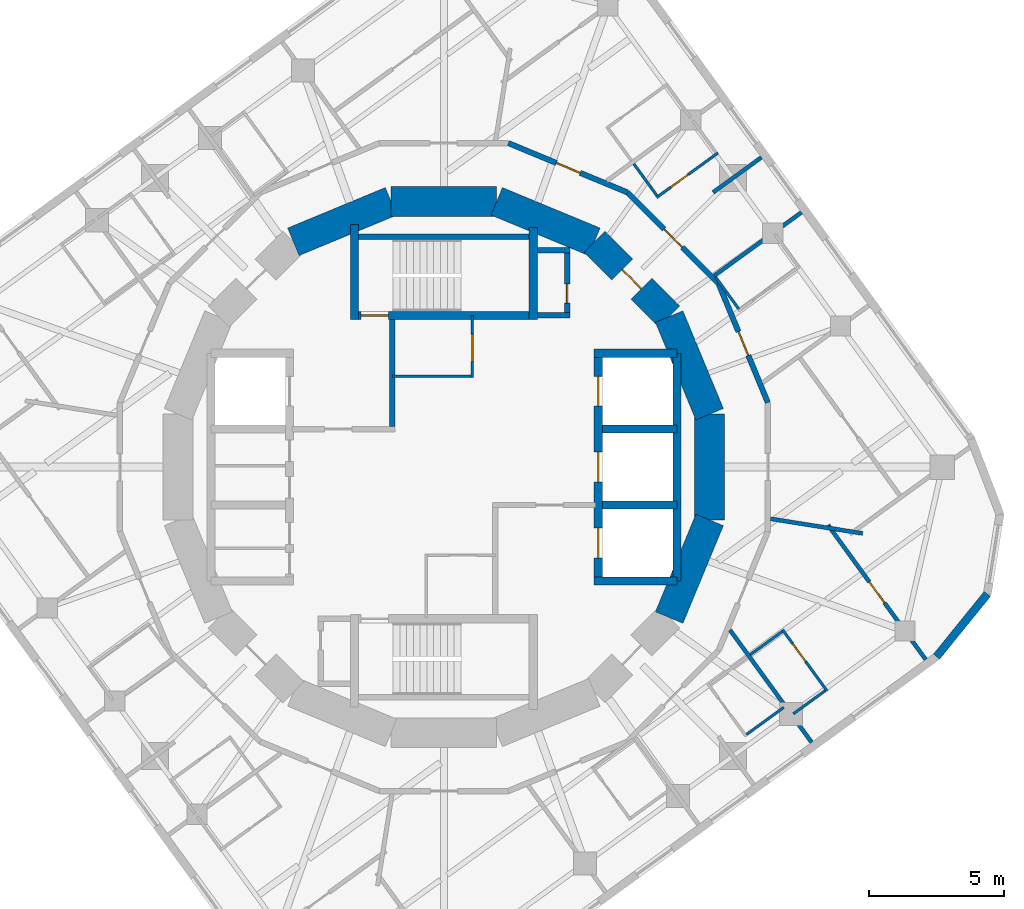
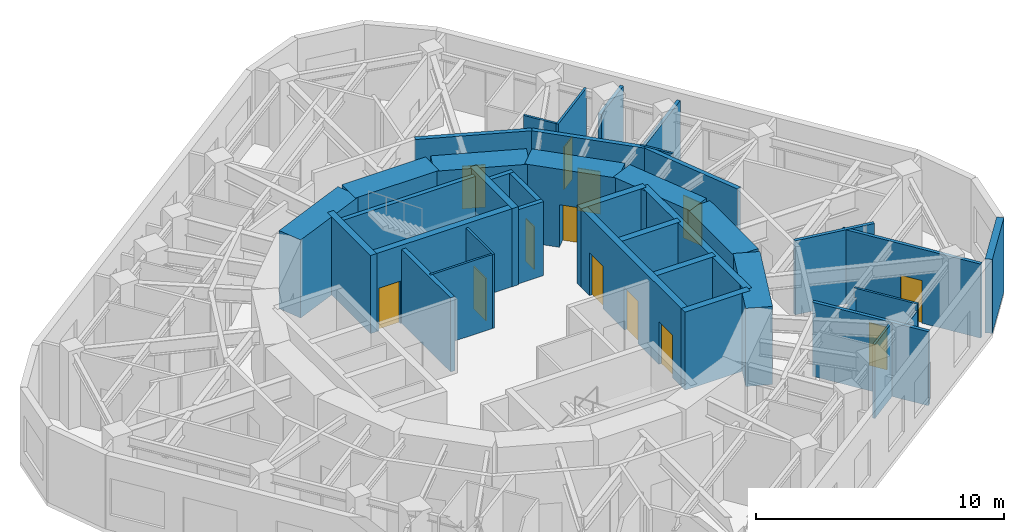
# One storey, part 6 of 9: 39 walls, 13 doors, 13 openings.
"""IFC4 building model written with IfcOpenShell, lengths in metres."""

from ifc_helpers import new_model, si_unit, direction, frame, frame_2d, origin, place, context, subcontext, project, spatial, rectangle, extrude, material, layer, layer_set, type_object, element, fill, save


model = new_model("IFC4")

# Units and contexts
model_context = context("Model", 3, precision=1e-05, world=origin(), true_north=direction((0.0, 1.0)))
body_context = subcontext(model_context, "Body", "Model", "MODEL_VIEW")
ifc_project = project(units=[si_unit("LENGTHUNIT", "METRE"), si_unit("AREAUNIT", "SQUARE_METRE"), si_unit("VOLUMEUNIT", "CUBIC_METRE"), si_unit("PLANEANGLEUNIT", "RADIAN"), si_unit("MASSUNIT", "GRAM", prefix="KILO")], contexts=[model_context])

# Site, building, storey
site_placement = place(None, origin())
site = spatial("IfcSite", under=ifc_project, at=site_placement, CompositionType="ELEMENT")
building_placement = place(site_placement, origin())
building = spatial("IfcBuilding", under=site, at=building_placement, Name="Nakasero Lantern House", CompositionType="ELEMENT")
storey_placement = place(building_placement, frame((0.0, 0.0, 286.85009765625)))
storey = spatial("IfcBuildingStorey", under=building, at=storey_placement, Name="L70", CompositionType="ELEMENT", Elevation=286.85009765625)

# Wall, openings, doors
ifc_material_1 = material(Name="Concrete C50/60", Category="concrete")
ifc_layer_1 = layer(ifc_material_1, 0.300048828125)
ifc_layer_set_1 = layer_set([ifc_layer_1], Name="Core inner wall 300")
wall_type_1 = type_object("IfcWallType", Name="Core inner wall 300", PredefinedType="SHEAR", material=ifc_layer_set_1)
wall_1_placement = place(storey_placement, frame((5.699951171875, -4.199951171875, 0.0), z_axis=(0.0, 0.0, 1.0), x_axis=(0.0, 1.0, 0.0)))
wall_1 = element("IfcWall", 1, at=wall_1_placement, inside=storey, type_object=wall_type_1, Name="Core inner wall L70 LE", PredefinedType="SHEAR", context=body_context, shape_type="SweptSolid", body=[
    extrude(rectangle(XDim=8.39990234375, YDim=0.300048828125, at=frame_2d((4.199951171875, 0.0))), origin(), (0.0, 0.0, 1.0), 3.849853515625),
])
opening_1_placement = place(wall_1_placement, frame((0.85009765625, 0.0, 0.0)))
opening_1 = element("IfcOpeningElement", 2, at=opening_1_placement, cuts=wall_1, Name="Opening LD", PredefinedType="OPENING", context=body_context, shape_type="SweptSolid", body=[
    extrude(rectangle(XDim=1.10009765625, YDim=2.10009765625, at=frame_2d((0.550048828125, 1.050048828125))), frame((0.0, 0.169921875, 0.0), z_axis=(0.0, -1.0, 0.0), x_axis=(1.0, 0.0, 0.0)), (0.0, 0.0, 1.0), 0.340087890625),
])
opening_2_placement = place(wall_1_placement, frame((3.64990234375, 0.0, 0.0)))
opening_2 = element("IfcOpeningElement", 3, at=opening_2_placement, cuts=wall_1, Name="Opening LD", PredefinedType="OPENING", context=body_context, shape_type="SweptSolid", body=[
    extrude(rectangle(XDim=1.10009765625, YDim=2.10009765625, at=frame_2d((0.550048828125, 1.050048828125))), frame((0.0, 0.169921875, 0.0), z_axis=(0.0, -1.0, 0.0), x_axis=(1.0, 0.0, 0.0)), (0.0, 0.0, 1.0), 0.340087890625),
])
opening_3_placement = place(wall_1_placement, frame((6.449951171875, 0.0, 0.0)))
opening_3 = element("IfcOpeningElement", 4, at=opening_3_placement, cuts=wall_1, Name="Opening LD", PredefinedType="OPENING", context=body_context, shape_type="SweptSolid", body=[
    extrude(rectangle(XDim=1.10009765625, YDim=2.10009765625, at=frame_2d((0.550048828125, 1.050048828125))), frame((0.0, 0.169921875, 0.0), z_axis=(0.0, -1.0, 0.0), x_axis=(1.0, 0.0, 0.0)), (0.0, 0.0, 1.0), 0.340087890625),
])
ifc_material_2 = material(Name="Steel S355", Category="steel")
door_type_1 = type_object("IfcDoorType", Name="Lift landing door E120 1100", OperationType="SLIDING_TO_LEFT", PredefinedType="DOOR", material=ifc_material_2)
door_1_placement = place(opening_1_placement, origin())
door_1 = element("IfcDoor", 5, at=door_1_placement, inside=storey, type_object=door_type_1, Name="Lift landing door LE1", OperationType="SLIDING_TO_LEFT", OverallHeight=2.10009765625, OverallWidth=1.10009765625, PredefinedType="DOOR", context=body_context, shape_type="SweptSolid", body=[
    extrude(rectangle(XDim=1.10009765625, YDim=2.10009765625, at=frame_2d((0.550048828125, 1.050048828125))), frame((0.0, 0.02490234375, 0.0), z_axis=(0.0, -1.0, 0.0), x_axis=(1.0, 0.0, 0.0)), (0.0, 0.0, 1.0), 0.050048828125),
])
fill(opening_1, door_1)
door_2_placement = place(opening_2_placement, origin())
door_2 = element("IfcDoor", 6, at=door_2_placement, inside=storey, type_object=door_type_1, Name="Lift landing door LE2", OperationType="SLIDING_TO_LEFT", OverallHeight=2.10009765625, OverallWidth=1.10009765625, PredefinedType="DOOR", context=body_context, shape_type="SweptSolid", body=[
    extrude(rectangle(XDim=1.10009765625, YDim=2.10009765625, at=frame_2d((0.550048828125, 1.050048828125))), frame((0.0, 0.02490234375, 0.0), z_axis=(0.0, -1.0, 0.0), x_axis=(1.0, 0.0, 0.0)), (0.0, 0.0, 1.0), 0.050048828125),
])
fill(opening_2, door_2)
door_3_placement = place(opening_3_placement, origin())
door_3 = element("IfcDoor", 7, at=door_3_placement, inside=storey, type_object=door_type_1, Name="Lift landing door LE3", OperationType="SLIDING_TO_LEFT", OverallHeight=2.10009765625, OverallWidth=1.10009765625, PredefinedType="DOOR", context=body_context, shape_type="SweptSolid", body=[
    extrude(rectangle(XDim=1.10009765625, YDim=2.10009765625, at=frame_2d((0.550048828125, 1.050048828125))), frame((0.0, 0.02490234375, 0.0), z_axis=(0.0, -1.0, 0.0), x_axis=(1.0, 0.0, 0.0)), (0.0, 0.0, 1.0), 0.050048828125),
])
fill(opening_3, door_3)

# Walls
for number, where, z_axis, x_axis, name in (
    (8, (5.550048828125, 4.199951171875, 0.0), (0.0, 0.0, 1.0), (1.0, 0.0, 0.0), "Core inner wall L70 LEN"),
    (9, (5.550048828125, -4.199951171875, 0.0), (0.0, 0.0, 1.0), (1.0, 0.0, 0.0), "Core inner wall L70 LES"),
):
    element("IfcWall", number, at=place(storey_placement, frame(where, z_axis=z_axis, x_axis=x_axis)), inside=storey, type_object=wall_type_1, Name=name, PredefinedType="SHEAR", context=body_context, shape_type="SweptSolid", body=[
        extrude(rectangle(XDim=3.050048828125, YDim=0.300048828125, at=frame_2d((1.52490234375, 0.0))), origin(), (0.0, 0.0, 1.0), 3.849853515625),
    ])
wall_2_placement = place(storey_placement, frame((8.60009765625, -4.199951171875, 0.0), z_axis=(0.0, 0.0, 1.0), x_axis=(0.0, 1.0, 0.0)))
element("IfcWall", 10, at=wall_2_placement, inside=storey, type_object=wall_type_1, Name="Core inner wall L70 LEB", PredefinedType="SHEAR", context=body_context, shape_type="SweptSolid", body=[
    extrude(rectangle(XDim=8.39990234375, YDim=0.300048828125, at=frame_2d((4.199951171875, 0.0))), origin(), (0.0, 0.0, 1.0), 3.849853515625),
])
for number, where, z_axis, x_axis, name in (
    (11, (5.85009765625, -1.39990234375, 0.0), (0.0, 0.0, 1.0), (1.0, 0.0, 0.0), "Core inner wall L70 LE1"),
    (12, (5.85009765625, 1.39990234375, 0.0), (0.0, 0.0, 1.0), (1.0, 0.0, 0.0), "Core inner wall L70 LE2"),
):
    element("IfcWall", number, at=place(storey_placement, frame(where, z_axis=z_axis, x_axis=x_axis)), inside=storey, type_object=wall_type_1, Name=name, PredefinedType="SHEAR", context=body_context, shape_type="SweptSolid", body=[
        extrude(rectangle(XDim=2.75, YDim=0.300048828125, at=frame_2d((1.375, 0.0))), origin(), (0.0, 0.0, 1.0), 3.849853515625),
    ])

# Wall, opening, door
wall_3_placement = place(storey_placement, frame((-3.449951171875, 5.60009765625, 0.0), z_axis=(0.0, 0.0, 1.0), x_axis=(1.0, 0.0, 0.0)))
wall_3 = element("IfcWall", 13, at=wall_3_placement, inside=storey, type_object=wall_type_1, Name="Core inner wall L70 SN", PredefinedType="SHEAR", context=body_context, shape_type="SweptSolid", body=[
    extrude(rectangle(XDim=6.89990234375, YDim=0.300048828125, at=frame_2d((3.449951171875, 0.0))), origin(), (0.0, 0.0, 1.0), 3.849853515625),
])
opening_4_placement = place(wall_3_placement, frame((0.39990234375, 0.0, 0.0)))
opening_4 = element("IfcOpeningElement", 14, at=opening_4_placement, cuts=wall_3, Name="Opening D05", PredefinedType="OPENING", context=body_context, shape_type="SweptSolid", body=[
    extrude(rectangle(XDim=1.0, YDim=2.10009765625, at=frame_2d((0.5, 1.050048828125))), frame((0.0, 0.169921875, 0.0), z_axis=(0.0, -1.0, 0.0), x_axis=(1.0, 0.0, 0.0)), (0.0, 0.0, 1.0), 0.340087890625),
])
ifc_material_3 = material(Name="Timber C24", Category="wood")
door_type_2 = type_object("IfcDoorType", Name="Core door FD60S 1000", OperationType="SINGLE_SWING_LEFT", PredefinedType="DOOR", material=ifc_material_3)
door_4_placement = place(opening_4_placement, origin())
door_4 = element("IfcDoor", 15, at=door_4_placement, inside=storey, type_object=door_type_2, Name="Door L70 D-ST1", OperationType="SINGLE_SWING_LEFT", OverallHeight=2.10009765625, OverallWidth=1.0, PredefinedType="DOOR", context=body_context, shape_type="SweptSolid", body=[
    extrude(rectangle(XDim=1.0, YDim=2.10009765625, at=frame_2d((0.5, 1.050048828125))), frame((0.0, 0.02490234375, 0.0), z_axis=(0.0, -1.0, 0.0), x_axis=(1.0, 0.0, 0.0)), (0.0, 0.0, 1.0), 0.050048828125),
])
fill(opening_4, door_4)

# Walls
wall_4_placement = place(storey_placement, frame((-3.300048828125, 5.449951171875, 0.0), z_axis=(0.0, 0.0, 1.0), x_axis=(0.0, 1.0, 0.0)))
element("IfcWall", 16, at=wall_4_placement, inside=storey, type_object=wall_type_1, Name="Core inner wall L70 SNW", PredefinedType="SHEAR", context=body_context, shape_type="SweptSolid", body=[
    extrude(rectangle(XDim=3.5, YDim=0.300048828125, at=frame_2d((1.75, 0.0))), origin(), (0.0, 0.0, 1.0), 3.849853515625),
])
wall_5_placement = place(storey_placement, frame((3.300048828125, 5.449951171875, 0.0), z_axis=(0.0, 0.0, 1.0), x_axis=(0.0, 1.0, 0.0)))
element("IfcWall", 17, at=wall_5_placement, inside=storey, type_object=wall_type_1, Name="Core inner wall L70 SNE", PredefinedType="SHEAR", context=body_context, shape_type="SweptSolid", body=[
    extrude(rectangle(XDim=3.400146484375, YDim=0.300048828125, at=frame_2d((1.7001953125, 0.0))), origin(), (0.0, 0.0, 1.0), 3.849853515625),
])
ifc_material_4 = material(Name="Blockwork", Category="masonry")
ifc_layer_2 = layer(ifc_material_4, 0.10009765625)
ifc_layer_set_2 = layer_set([ifc_layer_2], Name="Core room wall 100")
wall_type_2 = type_object("IfcWallType", Name="Core room wall 100", PredefinedType="PARTITIONING", material=ifc_layer_set_2)
wall_6_placement = place(storey_placement, frame((-1.89990234375, 3.35009765625, 0.0), z_axis=(0.0, 0.0, 1.0), x_axis=(1.0, 0.0, 0.0)))
element("IfcWall", 18, at=wall_6_placement, inside=storey, type_object=wall_type_2, Name="Core room wall L70 CR-NES", PredefinedType="PARTITIONING", context=body_context, shape_type="SweptSolid", body=[
    extrude(rectangle(XDim=3.0, YDim=0.10009765625, at=frame_2d((1.5, 0.0))), origin(), (0.0, 0.0, 1.0), 3.64990234375),
])

# Wall, opening, door
wall_7_placement = place(storey_placement, frame((1.050048828125, 3.300048828125, 0.0), z_axis=(0.0, 0.0, 1.0), x_axis=(0.0, 1.0, 0.0)))
wall_7 = element("IfcWall", 19, at=wall_7_placement, inside=storey, type_object=wall_type_2, Name="Core room wall L70 CR-NEE", PredefinedType="PARTITIONING", context=body_context, shape_type="SweptSolid", body=[
    extrude(rectangle(XDim=2.300048828125, YDim=0.10009765625, at=frame_2d((1.14990234375, 0.0))), origin(), (0.0, 0.0, 1.0), 3.64990234375),
])
opening_5_placement = place(wall_7_placement, frame((0.60009765625, 0.0, 0.0)))
opening_5 = element("IfcOpeningElement", 20, at=opening_5_placement, cuts=wall_7, Name="Opening D13", PredefinedType="OPENING", context=body_context, shape_type="SweptSolid", body=[
    extrude(rectangle(XDim=1.0, YDim=2.10009765625, at=frame_2d((0.5, 1.050048828125))), frame((0.0, 0.070068359375, 0.0), z_axis=(0.0, -1.0, 0.0), x_axis=(1.0, 0.0, 0.0)), (0.0, 0.0, 1.0), 0.14013671875),
])
ifc_material_5 = material(Name="Steel S355", Category="steel")
door_type_3 = type_object("IfcDoorType", Name="Plant room door FD60 1000", OperationType="SINGLE_SWING_LEFT", PredefinedType="DOOR", material=ifc_material_5)
door_5_placement = place(opening_5_placement, origin())
door_5 = element("IfcDoor", 21, at=door_5_placement, inside=storey, type_object=door_type_3, Name="Door L70 D-CR-NE", OperationType="SINGLE_SWING_LEFT", OverallHeight=2.10009765625, OverallWidth=1.0, PredefinedType="DOOR", context=body_context, shape_type="SweptSolid", body=[
    extrude(rectangle(XDim=1.0, YDim=2.10009765625, at=frame_2d((0.5, 1.050048828125))), frame((0.0, 0.02490234375, 0.0), z_axis=(0.0, -1.0, 0.0), x_axis=(1.0, 0.0, 0.0)), (0.0, 0.0, 1.0), 0.050048828125),
])
fill(opening_5, door_5)

# Wall
ifc_material_6 = material(Name="Concrete C50/60", Category="concrete")
ifc_layer_3 = layer(ifc_material_6, 1.10009765625)
ifc_layer_set_3 = layer_set([ifc_layer_3], Name="Core wall 1100")
wall_type_3 = type_object("IfcWallType", Name="Core wall 1100", PredefinedType="SHEAR", material=ifc_layer_set_3)
wall_8_placement = place(storey_placement, frame((9.807861328125, 1.950927734375, 0.0), z_axis=(0.0, 0.0, 1.0), x_axis=(-0.382690736062, 0.923876507187, 0.0)))
element("IfcWall", 22, at=wall_8_placement, inside=storey, type_object=wall_type_3, Name="Core wall L70 facet 1", PredefinedType="SHEAR", context=body_context, shape_type="SweptSolid", body=[
    extrude(rectangle(XDim=3.90185546875, YDim=1.10009765625, at=frame_2d((1.950927734375, 0.0))), origin(), (0.0, 0.0, 1.0), 3.849853515625),
])

# Wall, opening, door
wall_9_placement = place(storey_placement, frame((8.314697265625, 5.5556640625, 0.0), z_axis=(0.0, 0.0, 1.0), x_axis=(-0.707106781187, 0.707106781187, 0.0)))
wall_9 = element("IfcWall", 23, at=wall_9_placement, inside=storey, type_object=wall_type_3, Name="Core wall L70 facet 2", PredefinedType="SHEAR", context=body_context, shape_type="SweptSolid", body=[
    extrude(rectangle(XDim=3.90185546875, YDim=1.10009765625, at=frame_2d((1.950927734375, 0.0))), origin(), (0.0, 0.0, 1.0), 3.849853515625),
])
opening_6_placement = place(wall_9_placement, frame((1.450927734375, 0.0, 0.0)))
opening_6 = element("IfcOpeningElement", 24, at=opening_6_placement, cuts=wall_9, Name="Opening D05", PredefinedType="OPENING", context=body_context, shape_type="SweptSolid", body=[
    extrude(rectangle(XDim=1.0, YDim=2.10009765625, at=frame_2d((0.5, 1.050048828125))), frame((0.0, 0.570068359375, 0.0), z_axis=(0.0, -1.0, 0.0), x_axis=(1.0, 0.0, 0.0)), (0.0, 0.0, 1.0), 1.14013671875),
])
door_6_placement = place(opening_6_placement, origin())
door_6 = element("IfcDoor", 25, at=door_6_placement, inside=storey, type_object=door_type_2, Name="Door L70 D-CORE02", OperationType="SINGLE_SWING_LEFT", OverallHeight=2.10009765625, OverallWidth=1.0, PredefinedType="DOOR", context=body_context, shape_type="SweptSolid", body=[
    extrude(rectangle(XDim=1.0, YDim=2.10009765625, at=frame_2d((0.5, 1.050048828125))), frame((0.0, 0.02490234375, 0.0), z_axis=(0.0, -1.0, 0.0), x_axis=(1.0, 0.0, 0.0)), (0.0, 0.0, 1.0), 0.050048828125),
])
fill(opening_6, door_6)

# Walls
for number, where, z_axis, x_axis, name in (
    (26, (5.5556640625, 8.314697265625, 0.0), (0.0, 0.0, 1.0), (-0.923876507187, 0.382690736062, 0.0), "Core wall L70 facet 3"),
    (27, (1.950927734375, 9.807861328125, 0.0), (0.0, 0.0, 1.0), (-1.0, 0.0, 0.0), "Core wall L70 facet 4"),
    (28, (-1.950927734375, 9.807861328125, 0.0), (0.0, 0.0, 1.0), (-0.923876507187, -0.382690736062, 0.0), "Core wall L70 facet 5"),
    (29, (8.314697265625, -5.5556640625, 0.0), (0.0, 0.0, 1.0), (0.382690736062, 0.923876507187, 0.0), "Core wall L70 facet 15"),
    (30, (9.807861328125, -1.950927734375, 0.0), (0.0, 0.0, 1.0), (0.0, 1.0, 0.0), "Core wall L70 facet 16"),
):
    element("IfcWall", number, at=place(storey_placement, frame(where, z_axis=z_axis, x_axis=x_axis)), inside=storey, type_object=wall_type_3, Name=name, PredefinedType="SHEAR", context=body_context, shape_type="SweptSolid", body=[
        extrude(rectangle(XDim=3.90185546875, YDim=1.10009765625, at=frame_2d((1.950927734375, 0.0))), origin(), (0.0, 0.0, 1.0), 3.849853515625),
    ])

# Wall, opening, door
ifc_material_7 = material(Name="Blockwork", Category="masonry")
ifc_layer_4 = layer(ifc_material_7, 0.199951171875)
ifc_layer_set_4 = layer_set([ifc_layer_4], Name="Corridor wall 200")
wall_type_4 = type_object("IfcWallType", Name="Corridor wall 200", PredefinedType="PARTITIONING", material=ifc_layer_set_4)
wall_10_placement = place(storey_placement, frame((2.378662109375, 11.957763671875, 0.0), z_axis=(0.0, 0.0, 1.0), x_axis=(0.923891735412, -0.382653970627, 0.0)))
wall_10 = element("IfcWall", 31, at=wall_10_placement, inside=storey, type_object=wall_type_4, Name="Corridor wall L70 RC13a", PredefinedType="PARTITIONING", context=body_context, shape_type="SweptSolid", body=[
    extrude(rectangle(XDim=4.757080078125, YDim=0.199951171875, at=frame_2d((2.37841796875, 0.0))), origin(), (0.0, 0.0, 1.0), 3.64990234375),
])
opening_7_placement = place(wall_10_placement, frame((1.919921875, 0.0, 0.0)))
opening_7 = element("IfcOpeningElement", 32, at=opening_7_placement, cuts=wall_10, Name="Opening D01", PredefinedType="OPENING", context=body_context, shape_type="SweptSolid", body=[
    extrude(rectangle(XDim=0.949951171875, YDim=2.10009765625, at=frame_2d((0.47509765625, 1.050048828125))), frame((0.0, 0.119873046875, 0.0), z_axis=(0.0, -1.0, 0.0), x_axis=(1.0, 0.0, 0.0)), (0.0, 0.0, 1.0), 0.239990234375),
])
ifc_material_8 = material(Name="Timber C24", Category="wood")
door_type_4 = type_object("IfcDoorType", Name="Bedroom door FD30S 950", OperationType="SINGLE_SWING_LEFT", PredefinedType="DOOR", material=ifc_material_8)
door_7_placement = place(opening_7_placement, origin())
door_7 = element("IfcDoor", 33, at=door_7_placement, inside=storey, type_object=door_type_4, Name="Door L70 D0-06", OperationType="SINGLE_SWING_RIGHT", OverallHeight=2.10009765625, OverallWidth=0.949951171875, PredefinedType="DOOR", context=body_context, shape_type="SweptSolid", body=[
    extrude(rectangle(XDim=0.949951171875, YDim=2.10009765625, at=frame_2d((0.47509765625, 1.050048828125))), frame((0.0, 0.02490234375, 0.0), z_axis=(0.0, -1.0, 0.0), x_axis=(1.0, 0.0, 0.0)), (0.0, 0.0, 1.0), 0.050048828125),
])
fill(opening_7, door_7)

wall_11_placement = place(storey_placement, frame((6.773681640625, 10.137451171875, 0.0), z_axis=(0.0, 0.0, 1.0), x_axis=(0.707106781187, -0.707106781187, 0.0)))
wall_11 = element("IfcWall", 34, at=wall_11_placement, inside=storey, type_object=wall_type_4, Name="Corridor wall L70 RC14a", PredefinedType="PARTITIONING", context=body_context, shape_type="SweptSolid", body=[
    extrude(rectangle(XDim=4.757080078125, YDim=0.199951171875, at=frame_2d((2.37841796875, 0.0))), origin(), (0.0, 0.0, 1.0), 3.64990234375),
])
opening_8_placement = place(wall_11_placement, frame((1.919921875, 0.0, 0.0)))
opening_8 = element("IfcOpeningElement", 35, at=opening_8_placement, cuts=wall_11, Name="Opening D01", PredefinedType="OPENING", context=body_context, shape_type="SweptSolid", body=[
    extrude(rectangle(XDim=0.949951171875, YDim=2.10009765625, at=frame_2d((0.47509765625, 1.050048828125))), frame((0.0, 0.119873046875, 0.0), z_axis=(0.0, -1.0, 0.0), x_axis=(1.0, 0.0, 0.0)), (0.0, 0.0, 1.0), 0.239990234375),
])
door_8_placement = place(opening_8_placement, origin())
door_8 = element("IfcDoor", 36, at=door_8_placement, inside=storey, type_object=door_type_4, Name="Door L70 D0-04", OperationType="SINGLE_SWING_RIGHT", OverallHeight=2.10009765625, OverallWidth=0.949951171875, PredefinedType="DOOR", context=body_context, shape_type="SweptSolid", body=[
    extrude(rectangle(XDim=0.949951171875, YDim=2.10009765625, at=frame_2d((0.47509765625, 1.050048828125))), frame((0.0, 0.02490234375, 0.0), z_axis=(0.0, -1.0, 0.0), x_axis=(1.0, 0.0, 0.0)), (0.0, 0.0, 1.0), 0.050048828125),
])
fill(opening_8, door_8)

wall_12_placement = place(storey_placement, frame((10.137451171875, 6.773681640625, 0.0), z_axis=(0.0, 0.0, 1.0), x_axis=(0.382653970627, -0.923891735412, 0.0)))
wall_12 = element("IfcWall", 37, at=wall_12_placement, inside=storey, type_object=wall_type_4, Name="Corridor wall L70 RC15a", PredefinedType="PARTITIONING", context=body_context, shape_type="SweptSolid", body=[
    extrude(rectangle(XDim=4.757080078125, YDim=0.199951171875, at=frame_2d((2.37841796875, 0.0))), origin(), (0.0, 0.0, 1.0), 3.64990234375),
])
opening_9_placement = place(wall_12_placement, frame((1.919921875, 0.0, 0.0)))
opening_9 = element("IfcOpeningElement", 38, at=opening_9_placement, cuts=wall_12, Name="Opening D01", PredefinedType="OPENING", context=body_context, shape_type="SweptSolid", body=[
    extrude(rectangle(XDim=0.949951171875, YDim=2.10009765625, at=frame_2d((0.47509765625, 1.050048828125))), frame((0.0, 0.119873046875, 0.0), z_axis=(0.0, -1.0, 0.0), x_axis=(1.0, 0.0, 0.0)), (0.0, 0.0, 1.0), 0.239990234375),
])
door_9_placement = place(opening_9_placement, origin())
door_9 = element("IfcDoor", 39, at=door_9_placement, inside=storey, type_object=door_type_4, Name="Door L70 D0-03", OperationType="SINGLE_SWING_RIGHT", OverallHeight=2.10009765625, OverallWidth=0.949951171875, PredefinedType="DOOR", context=body_context, shape_type="SweptSolid", body=[
    extrude(rectangle(XDim=0.949951171875, YDim=2.10009765625, at=frame_2d((0.47509765625, 1.050048828125))), frame((0.0, 0.02490234375, 0.0), z_axis=(0.0, -1.0, 0.0), x_axis=(1.0, 0.0, 0.0)), (0.0, 0.0, 1.0), 0.050048828125),
])
fill(opening_9, door_9)

# Wall
ifc_material_9 = material(Name="Blockwork", Category="masonry")
ifc_layer_5 = layer(ifc_material_9, 0.10009765625)
ifc_layer_set_5 = layer_set([ifc_layer_5], Name="En-suite wall 100")
wall_type_5 = type_object("IfcWallType", Name="En-suite wall 100", PredefinedType="PARTITIONING", material=ifc_layer_set_5)
wall_13_placement = place(storey_placement, frame((10.883544921875, 5.8349609375, 0.0), z_axis=(0.0, 0.0, 1.0), x_axis=(-0.587781191743, 0.809019944521, 0.0)))
element("IfcWall", 40, at=wall_13_placement, inside=storey, type_object=wall_type_5, Name="En-suite wall L70 EI0-03", PredefinedType="PARTITIONING", context=body_context, shape_type="SweptSolid", body=[
    extrude(rectangle(XDim=1.449951171875, YDim=0.10009765625, at=frame_2d((0.72509765625, 0.0))), origin(), (0.0, 0.0, 1.0), 3.64990234375),
])

# Wall, opening, door
wall_14_placement = place(storey_placement, frame((7.851318359375, 9.949462890625, 0.0), z_axis=(0.0, 0.0, 1.0), x_axis=(0.809011254605, 0.587793152327, 0.0)))
wall_14 = element("IfcWall", 41, at=wall_14_placement, inside=storey, type_object=wall_type_5, Name="En-suite wall L70 ES0-04", PredefinedType="PARTITIONING", context=body_context, shape_type="SweptSolid", body=[
    extrude(rectangle(XDim=2.7998046875, YDim=0.10009765625, at=frame_2d((1.39990234375, 0.0))), origin(), (0.0, 0.0, 1.0), 3.64990234375),
])
opening_10_placement = place(wall_14_placement, frame((0.64990234375, 0.0, 0.0)))
opening_10 = element("IfcOpeningElement", 42, at=opening_10_placement, cuts=wall_14, Name="Opening D02", PredefinedType="OPENING", context=body_context, shape_type="SweptSolid", body=[
    extrude(rectangle(XDim=0.800048828125, YDim=2.10009765625, at=frame_2d((0.39990234375, 1.050048828125))), frame((0.0, 0.070068359375, 0.0), z_axis=(0.0, -1.0, 0.0), x_axis=(1.0, 0.0, 0.0)), (0.0, 0.0, 1.0), 0.14013671875),
])
ifc_material_10 = material(Name="Timber C24", Category="wood")
door_type_5 = type_object("IfcDoorType", Name="En-suite door 800", OperationType="SINGLE_SWING_RIGHT", PredefinedType="DOOR", material=ifc_material_10)
door_10_placement = place(opening_10_placement, origin())
door_10 = element("IfcDoor", 43, at=door_10_placement, inside=storey, type_object=door_type_5, Name="Door L70 DE0-04", OperationType="SINGLE_SWING_LEFT", OverallHeight=2.10009765625, OverallWidth=0.800048828125, PredefinedType="DOOR", context=body_context, shape_type="SweptSolid", body=[
    extrude(rectangle(XDim=0.800048828125, YDim=2.10009765625, at=frame_2d((0.39990234375, 1.050048828125))), frame((0.0, 0.02490234375, 0.0), z_axis=(0.0, -1.0, 0.0), x_axis=(1.0, 0.0, 0.0)), (0.0, 0.0, 1.0), 0.050048828125),
])
fill(opening_10, door_10)

# Walls
wall_15_placement = place(storey_placement, frame((7.8623046875, 10.019287109375, 0.0), z_axis=(0.0, 0.0, 1.0), x_axis=(-0.587781191743, 0.809019944521, 0.0)))
element("IfcWall", 44, at=wall_15_placement, inside=storey, type_object=wall_type_5, Name="En-suite wall L70 EI0-04", PredefinedType="PARTITIONING", context=body_context, shape_type="SweptSolid", body=[
    extrude(rectangle(XDim=1.449951171875, YDim=0.10009765625, at=frame_2d((0.72509765625, 0.0))), origin(), (0.0, 0.0, 1.0), 3.64990234375),
])
wall_16_placement = place(storey_placement, frame((11.1689453125, -9.8701171875, 0.0), z_axis=(0.0, 0.0, 1.0), x_axis=(0.809040252033, 0.58775323954, 0.0)))
element("IfcWall", 45, at=wall_16_placement, inside=storey, type_object=wall_type_5, Name="En-suite wall L70 EE3-04", PredefinedType="PARTITIONING", context=body_context, shape_type="SweptSolid", body=[
    extrude(rectangle(XDim=1.7001953125, YDim=0.10009765625, at=frame_2d((0.85009765625, 0.0))), origin(), (0.0, 0.0, 1.0), 3.64990234375),
])

# Wall, opening, door
wall_17_placement = place(storey_placement, frame((12.498046875, -5.999755859375, 0.0), z_axis=(0.0, 0.0, 1.0), x_axis=(0.587793152327, -0.809011254605, 0.0)))
wall_17 = element("IfcWall", 46, at=wall_17_placement, inside=storey, type_object=wall_type_5, Name="En-suite wall L70 ES3-06", PredefinedType="PARTITIONING", context=body_context, shape_type="SweptSolid", body=[
    extrude(rectangle(XDim=2.7998046875, YDim=0.10009765625, at=frame_2d((1.39990234375, 0.0))), origin(), (0.0, 0.0, 1.0), 3.64990234375),
])
opening_11_placement = place(wall_17_placement, frame((0.64990234375, 0.0, 0.0)))
opening_11 = element("IfcOpeningElement", 47, at=opening_11_placement, cuts=wall_17, Name="Opening D02", PredefinedType="OPENING", context=body_context, shape_type="SweptSolid", body=[
    extrude(rectangle(XDim=0.800048828125, YDim=2.10009765625, at=frame_2d((0.39990234375, 1.050048828125))), frame((0.0, 0.070068359375, 0.0), z_axis=(0.0, -1.0, 0.0), x_axis=(1.0, 0.0, 0.0)), (0.0, 0.0, 1.0), 0.14013671875),
])
door_11_placement = place(opening_11_placement, origin())
door_11 = element("IfcDoor", 48, at=door_11_placement, inside=storey, type_object=door_type_5, Name="Door L70 DE3-06", OperationType="SINGLE_SWING_LEFT", OverallHeight=2.10009765625, OverallWidth=0.800048828125, PredefinedType="DOOR", context=body_context, shape_type="SweptSolid", body=[
    extrude(rectangle(XDim=0.800048828125, YDim=2.10009765625, at=frame_2d((0.39990234375, 1.050048828125))), frame((0.0, 0.02490234375, 0.0), z_axis=(0.0, -1.0, 0.0), x_axis=(1.0, 0.0, 0.0)), (0.0, 0.0, 1.0), 0.050048828125),
])
fill(opening_11, door_11)

# Walls
wall_18_placement = place(storey_placement, frame((12.90087890625, -9.106201171875, 0.0), z_axis=(0.0, 0.0, 1.0), x_axis=(0.809019944521, 0.587781191743, 0.0)))
element("IfcWall", 49, at=wall_18_placement, inside=storey, type_object=wall_type_5, Name="En-suite wall L70 EE3-06", PredefinedType="PARTITIONING", context=body_context, shape_type="SweptSolid", body=[
    extrude(rectangle(XDim=1.449951171875, YDim=0.10009765625, at=frame_2d((0.72509765625, 0.0))), origin(), (0.0, 0.0, 1.0), 3.294921875),
])
wall_19_placement = place(storey_placement, frame((11.313720703125, -6.921875, 0.0), z_axis=(0.0, 0.0, 1.0), x_axis=(0.809019944521, 0.587781191743, 0.0)))
element("IfcWall", 50, at=wall_19_placement, inside=storey, type_object=wall_type_5, Name="En-suite wall L70 EI3-06", PredefinedType="PARTITIONING", context=body_context, shape_type="SweptSolid", body=[
    extrude(rectangle(XDim=1.449951171875, YDim=0.10009765625, at=frame_2d((0.72509765625, 0.0))), origin(), (0.0, 0.0, 1.0), 3.18994140625),
])
ifc_material_11 = material(Name="Aluminium rainscreen on blockwork", Category="masonry")
ifc_layer_6 = layer(ifc_material_11, 0.300048828125)
ifc_layer_set_6 = layer_set([ifc_layer_6], Name="Facade wall 300")
wall_type_6 = type_object("IfcWallType", Name="Facade wall 300", PredefinedType="SOLIDWALL", material=ifc_layer_set_6)
wall_20_placement = place(storey_placement, frame((18.185791015625, -6.996826171875, 0.0), z_axis=(0.0, 0.0, 1.0), x_axis=(0.629375183362, 0.777101588319, 0.0)))
element("IfcWall", 51, at=wall_20_placement, inside=storey, type_object=wall_type_6, Name="Facade wall L70 FW3C1", PredefinedType="SOLIDWALL", context=body_context, shape_type="SweptSolid", body=[
    extrude(rectangle(XDim=2.976318359375, YDim=0.300048828125, at=frame_2d((1.48828125, 0.0))), origin(), (0.0, 0.0, 1.0), 3.64990234375),
])
ifc_material_12 = material(Name="Blockwork", Category="masonry")
ifc_layer_7 = layer(ifc_material_12, 0.199951171875)
ifc_layer_set_7 = layer_set([ifc_layer_7], Name="Fire lobby wall 200")
wall_type_7 = type_object("IfcWallType", Name="Fire lobby wall 200", PredefinedType="PARTITIONING", material=ifc_layer_set_7)
wall_21_placement = place(storey_placement, frame((-1.89990234375, 1.5, 0.0), z_axis=(0.0, 0.0, 1.0), x_axis=(0.0, 1.0, 0.0)))
element("IfcWall", 52, at=wall_21_placement, inside=storey, type_object=wall_type_7, Name="Fire lobby wall L70 W-FL1E", PredefinedType="PARTITIONING", context=body_context, shape_type="SweptSolid", body=[
    extrude(rectangle(XDim=3.949951171875, YDim=0.199951171875, at=frame_2d((1.97509765625, 0.0))), origin(), (0.0, 0.0, 1.0), 3.64990234375),
])

# Wall, opening, door
wall_22_placement = place(storey_placement, frame((4.550048828125, 5.60009765625, 0.0), z_axis=(0.0, 0.0, 1.0), x_axis=(0.0, 1.0, 0.0)))
wall_22 = element("IfcWall", 53, at=wall_22_placement, inside=storey, type_object=wall_type_7, Name="Fire lobby wall L70 W-RS1E", PredefinedType="PARTITIONING", context=body_context, shape_type="SweptSolid", body=[
    extrude(rectangle(XDim=2.39990234375, YDim=0.199951171875, at=frame_2d((1.199951171875, 0.0))), origin(), (0.0, 0.0, 1.0), 3.64990234375),
])
opening_12_placement = place(wall_22_placement, frame((0.449951171875, 0.0, 0.0)))
opening_12 = element("IfcOpeningElement", 54, at=opening_12_placement, cuts=wall_22, Name="Opening D06", PredefinedType="OPENING", context=body_context, shape_type="SweptSolid", body=[
    extrude(rectangle(XDim=0.699951171875, YDim=2.10009765625, at=frame_2d((0.35009765625, 1.050048828125))), frame((0.0, 0.119873046875, 0.0), z_axis=(0.0, -1.0, 0.0), x_axis=(1.0, 0.0, 0.0)), (0.0, 0.0, 1.0), 0.239990234375),
])
ifc_material_13 = material(Name="Steel S355", Category="steel")
door_type_6 = type_object("IfcDoorType", Name="Riser door FD60 700", OperationType="SINGLE_SWING_LEFT", PredefinedType="DOOR", material=ifc_material_13)
door_12_placement = place(opening_12_placement, origin())
door_12 = element("IfcDoor", 55, at=door_12_placement, inside=storey, type_object=door_type_6, Name="Door L70 D-RS1", OperationType="SINGLE_SWING_LEFT", OverallHeight=2.10009765625, OverallWidth=0.699951171875, PredefinedType="DOOR", context=body_context, shape_type="SweptSolid", body=[
    extrude(rectangle(XDim=0.699951171875, YDim=2.10009765625, at=frame_2d((0.35009765625, 1.050048828125))), frame((0.0, 0.02490234375, 0.0), z_axis=(0.0, -1.0, 0.0), x_axis=(1.0, 0.0, 0.0)), (0.0, 0.0, 1.0), 0.050048828125),
])
fill(opening_12, door_12)

# Walls
for number, where, z_axis, x_axis, name in (
    (56, (3.449951171875, 8.0, 0.0), (0.0, 0.0, 1.0), (1.0, 0.0, 0.0), "Fire lobby wall L70 W-RS1N"),
    (57, (3.449951171875, 5.60009765625, 0.0), (0.0, 0.0, 1.0), (1.0, 0.0, 0.0), "Fire lobby wall L70 W-RS1S"),
):
    element("IfcWall", number, at=place(storey_placement, frame(where, z_axis=z_axis, x_axis=x_axis)), inside=storey, type_object=wall_type_7, Name=name, PredefinedType="PARTITIONING", context=body_context, shape_type="SweptSolid", body=[
        extrude(rectangle(XDim=1.199951171875, YDim=0.199951171875, at=frame_2d((0.60009765625, 0.0))), origin(), (0.0, 0.0, 1.0), 3.64990234375),
    ])
wall_23_placement = place(storey_placement, frame((-3.300048828125, 8.5, 0.0), z_axis=(0.0, 0.0, 1.0), x_axis=(1.0, 0.0, 0.0)))
element("IfcWall", 58, at=wall_23_placement, inside=storey, type_object=wall_type_7, Name="Fire lobby wall L70 W-STN", PredefinedType="PARTITIONING", context=body_context, shape_type="SweptSolid", body=[
    extrude(rectangle(XDim=6.60009765625, YDim=0.199951171875, at=frame_2d((3.300048828125, 0.0))), origin(), (0.0, 0.0, 1.0), 3.64990234375),
])
ifc_material_14 = material(Name="Blockwork", Category="masonry")
ifc_layer_8 = layer(ifc_material_14, 0.14990234375)
ifc_layer_set_8 = layer_set([ifc_layer_8], Name="Party wall 150")
wall_type_8 = type_object("IfcWallType", Name="Party wall 150", PredefinedType="PARTITIONING", material=ifc_layer_set_8)
wall_24_placement = place(storey_placement, frame((9.939208984375, 10.13818359375, 0.0), z_axis=(0.0, 0.0, 1.0), x_axis=(0.808990345923, 0.587821928992, 0.0)))
element("IfcWall", 59, at=wall_24_placement, inside=storey, type_object=wall_type_8, Name="Party wall L70 PN0-05", PredefinedType="PARTITIONING", context=body_context, shape_type="SweptSolid", body=[
    extrude(rectangle(XDim=2.199951171875, YDim=0.14990234375, at=frame_2d((1.10009765625, 0.0))), origin(), (0.0, 0.0, 1.0), 3.294921875),
])
wall_25_placement = place(storey_placement, frame((9.985107421875, 7.067138671875, 0.0), z_axis=(0.0, 0.0, 1.0), x_axis=(0.809004739075, 0.587802119896, 0.0)))
element("IfcWall", 60, at=wall_25_placement, inside=storey, type_object=wall_type_8, Name="Party wall L70 PW0-04", PredefinedType="PARTITIONING", context=body_context, shape_type="SweptSolid", body=[
    extrude(rectangle(XDim=3.9677734375, YDim=0.14990234375, at=frame_2d((1.98388671875, 0.0))), origin(), (0.0, 0.0, 1.0), 3.294921875),
])
wall_26_placement = place(storey_placement, frame((10.560791015625, -6.012939453125, 0.0), z_axis=(0.0, 0.0, 1.0), x_axis=(0.587780977736, -0.809020100005, 0.0)))
element("IfcWall", 61, at=wall_26_placement, inside=storey, type_object=wall_type_8, Name="Party wall L70 PW3-06", PredefinedType="PARTITIONING", context=body_context, shape_type="SweptSolid", body=[
    extrude(rectangle(XDim=5.1279296875, YDim=0.14990234375, at=frame_2d((2.56396484375, 0.0))), origin(), (0.0, 0.0, 1.0), 3.64990234375),
])

# Wall, opening, door
wall_27_placement = place(storey_placement, frame((14.1767578125, -2.137939453125, 0.0), z_axis=(0.0, 0.0, 1.0), x_axis=(0.587774266883, -0.809024975628, 0.0)))
wall_27 = element("IfcWall", 62, at=wall_27_placement, inside=storey, type_object=wall_type_8, Name="Party wall L70 PW3-07", PredefinedType="PARTITIONING", context=body_context, shape_type="SweptSolid", body=[
    extrude(rectangle(XDim=6.137451171875, YDim=0.14990234375, at=frame_2d((3.06884765625, 0.0))), origin(), (0.0, 0.0, 1.0), 3.64990234375),
])
opening_13_placement = place(wall_27_placement, frame((2.60009765625, 0.0, 0.0)))
opening_13 = element("IfcOpeningElement", 63, at=opening_13_placement, cuts=wall_27, Name="Opening D01", PredefinedType="OPENING", context=body_context, shape_type="SweptSolid", body=[
    extrude(rectangle(XDim=0.949951171875, YDim=2.10009765625, at=frame_2d((0.47509765625, 1.050048828125))), frame((0.0, 0.094970703125, 0.0), z_axis=(0.0, -1.0, 0.0), x_axis=(1.0, 0.0, 0.0)), (0.0, 0.0, 1.0), 0.18994140625),
])
door_13_placement = place(opening_13_placement, origin())
door_13 = element("IfcDoor", 64, at=door_13_placement, inside=storey, type_object=door_type_4, Name="Door L70 DC3", OperationType="SINGLE_SWING_RIGHT", OverallHeight=2.10009765625, OverallWidth=0.949951171875, PredefinedType="DOOR", context=body_context, shape_type="SweptSolid", body=[
    extrude(rectangle(XDim=0.949951171875, YDim=2.10009765625, at=frame_2d((0.47509765625, 1.050048828125))), frame((0.0, 0.02490234375, 0.0), z_axis=(0.0, -1.0, 0.0), x_axis=(1.0, 0.0, 0.0)), (0.0, 0.0, 1.0), 0.050048828125),
])
fill(opening_13, door_13)

# Wall
wall_28_placement = place(storey_placement, frame((12.057861328125, -1.90966796875, 0.0), z_axis=(0.0, 0.0, 1.0), x_axis=(0.987683439553, -0.156465405864, 0.0)))
element("IfcWall", 65, at=wall_28_placement, inside=storey, type_object=wall_type_8, Name="Party wall L70 PD3", PredefinedType="PARTITIONING", context=body_context, shape_type="SweptSolid", body=[
    extrude(rectangle(XDim=3.440673828125, YDim=0.14990234375, at=frame_2d((1.72021484375, 0.0))), origin(), (0.0, 0.0, 1.0), 3.64990234375),
])

save(model, "model.ifc")
